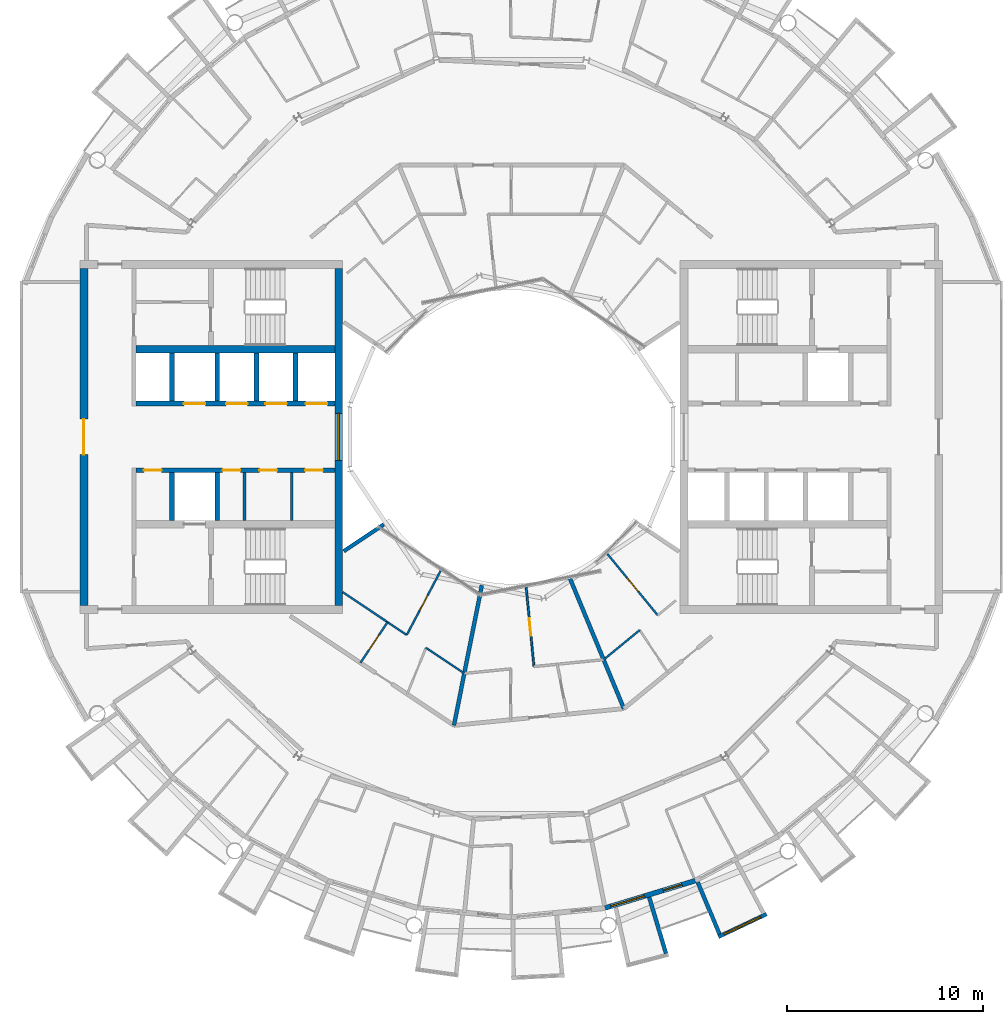
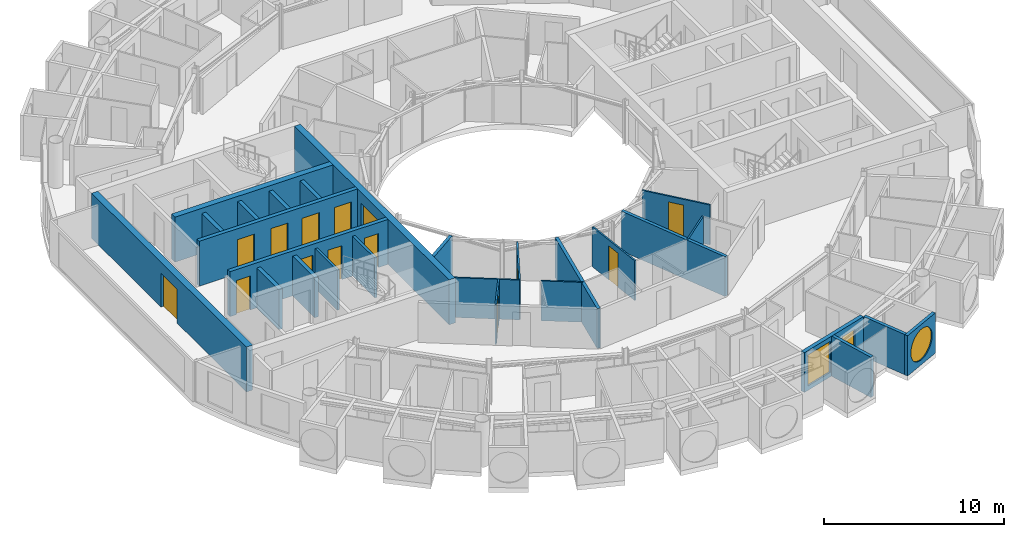
# One storey, part 16 of 27: 27 walls, 14 doors, 3 windows, 17 openings.
"""IFC4 building model written with IfcOpenShell, lengths in metres."""

from ifc_helpers import new_model, si_unit, direction, frame, frame_2d, origin, place, context, subcontext, project, spatial, rectangle, circle, extrude, material, layer, layer_set, type_object, element, fill, save


model = new_model("IFC4")

# Units and contexts
model_context = context("Model", 3, precision=1e-05, world=origin(), true_north=direction((0.0, 1.0)))
body_context = subcontext(model_context, "Body", "Model", "MODEL_VIEW")
ifc_project = project(units=[si_unit("LENGTHUNIT", "METRE"), si_unit("AREAUNIT", "SQUARE_METRE"), si_unit("VOLUMEUNIT", "CUBIC_METRE"), si_unit("PLANEANGLEUNIT", "RADIAN"), si_unit("MASSUNIT", "GRAM", prefix="KILO")], contexts=[model_context])

# Site, building, storey
site_placement = place(None, origin())
site = spatial("IfcSite", under=ifc_project, at=site_placement, CompositionType="ELEMENT")
building_placement = place(site_placement, origin())
building = spatial("IfcBuilding", under=site, at=building_placement, Name="Maasbend Ring Residences", CompositionType="ELEMENT")
storey_placement = place(building_placement, frame((0.0, 0.0, 240.14990234375)))
storey = spatial("IfcBuildingStorey", under=building, at=storey_placement, Name="L69", CompositionType="ELEMENT", Elevation=240.14990234375)

# Wall, openings, doors
ifc_material_1 = material(Name="Concrete C50/60", Category="concrete")
ifc_layer_1 = layer(ifc_material_1, 0.25)
ifc_layer_set_1 = layer_set([ifc_layer_1], Name="Concrete C50/60")
wall_type_1 = type_object("IfcWallType", Name="CORE WALL 250 C50/60", PredefinedType="SHEAR", material=ifc_layer_set_1)
wall_1_placement = place(storey_placement, frame((-9.0, -1.699951171875, 0.0), z_axis=(0.0, 0.0, 1.0), x_axis=(-1.0, 0.0, 0.0)))
wall_1 = element("IfcWall", 1, at=wall_1_placement, inside=storey, type_object=wall_type_1, Name="L69 core W wall SPN", PredefinedType="SHEAR", context=body_context, shape_type="SweptSolid", body=[
    extrude(rectangle(XDim=10.14990234375, YDim=0.25, at=frame_2d((5.074951171875, 0.0))), origin(), (0.0, 0.0, 1.0), 3.050048828125),
])
opening_1_placement = place(wall_1_placement, frame((0.612548828125, 0.0, 0.0)))
opening_1 = element("IfcOpeningElement", 2, at=opening_1_placement, cuts=wall_1, Name="Opening D-W6906", PredefinedType="OPENING", context=body_context, shape_type="SweptSolid", body=[
    extrude(rectangle(XDim=0.89990234375, YDim=2.300048828125, at=frame_2d((0.449951171875, 1.14990234375))), frame((0.0, 0.135009765625, 0.0), z_axis=(0.0, -1.0, 0.0), x_axis=(1.0, 0.0, 0.0)), (0.0, 0.0, 1.0), 0.27001953125),
])
opening_2_placement = place(wall_1_placement, frame((2.949951171875, 0.0, 0.0)))
opening_2 = element("IfcOpeningElement", 3, at=opening_2_placement, cuts=wall_1, Name="Opening D-W6907", PredefinedType="OPENING", context=body_context, shape_type="SweptSolid", body=[
    extrude(rectangle(XDim=0.89990234375, YDim=2.300048828125, at=frame_2d((0.449951171875, 1.14990234375))), frame((0.0, 0.135009765625, 0.0), z_axis=(0.0, -1.0, 0.0), x_axis=(1.0, 0.0, 0.0)), (0.0, 0.0, 1.0), 0.27001953125),
])
opening_3_placement = place(wall_1_placement, frame((4.824951171875, 0.0, 0.0)))
opening_3 = element("IfcOpeningElement", 4, at=opening_3_placement, cuts=wall_1, Name="Opening D-W6908", PredefinedType="OPENING", context=body_context, shape_type="SweptSolid", body=[
    extrude(rectangle(XDim=0.89990234375, YDim=2.300048828125, at=frame_2d((0.449951171875, 1.14990234375))), frame((0.0, 0.135009765625, 0.0), z_axis=(0.0, -1.0, 0.0), x_axis=(1.0, 0.0, 0.0)), (0.0, 0.0, 1.0), 0.27001953125),
])
opening_4_placement = place(wall_1_placement, frame((8.83740234375, 0.0, 0.0)))
opening_4 = element("IfcOpeningElement", 5, at=opening_4_placement, cuts=wall_1, Name="Opening D-W6909", PredefinedType="OPENING", context=body_context, shape_type="SweptSolid", body=[
    extrude(rectangle(XDim=0.89990234375, YDim=2.300048828125, at=frame_2d((0.449951171875, 1.14990234375))), frame((0.0, 0.135009765625, 0.0), z_axis=(0.0, -1.0, 0.0), x_axis=(1.0, 0.0, 0.0)), (0.0, 0.0, 1.0), 0.27001953125),
])
ifc_material_2 = material(Name="Steel, powder coated", Category="steel")
door_type_1 = type_object("IfcDoorType", Name="ROOM DOOR 900 X 2300 FD30S", OperationType="NOTDEFINED", PredefinedType="DOOR", material=ifc_material_2)
door_1_placement = place(opening_1_placement, origin())
door_1 = element("IfcDoor", 6, at=door_1_placement, inside=storey, type_object=door_type_1, Name="Room door L69", OperationType="SINGLE_SWING_RIGHT", OverallHeight=2.300048828125, OverallWidth=0.89990234375, PredefinedType="DOOR", context=body_context, shape_type="SweptSolid", body=[
    extrude(rectangle(XDim=0.89990234375, YDim=2.300048828125, at=frame_2d((0.449951171875, 1.14990234375))), frame((0.0, 0.02490234375, 0.0), z_axis=(0.0, -1.0, 0.0), x_axis=(1.0, 0.0, 0.0)), (0.0, 0.0, 1.0), 0.050048828125),
])
fill(opening_1, door_1)
door_2_placement = place(opening_2_placement, origin())
door_2 = element("IfcDoor", 7, at=door_2_placement, inside=storey, type_object=door_type_1, Name="Room door L69", OperationType="SINGLE_SWING_RIGHT", OverallHeight=2.300048828125, OverallWidth=0.89990234375, PredefinedType="DOOR", context=body_context, shape_type="SweptSolid", body=[
    extrude(rectangle(XDim=0.89990234375, YDim=2.300048828125, at=frame_2d((0.449951171875, 1.14990234375))), frame((0.0, 0.02490234375, 0.0), z_axis=(0.0, -1.0, 0.0), x_axis=(1.0, 0.0, 0.0)), (0.0, 0.0, 1.0), 0.050048828125),
])
fill(opening_2, door_2)
door_3_placement = place(opening_3_placement, origin())
door_3 = element("IfcDoor", 8, at=door_3_placement, inside=storey, type_object=door_type_1, Name="Room door L69", OperationType="SINGLE_SWING_LEFT", OverallHeight=2.300048828125, OverallWidth=0.89990234375, PredefinedType="DOOR", context=body_context, shape_type="SweptSolid", body=[
    extrude(rectangle(XDim=0.89990234375, YDim=2.300048828125, at=frame_2d((0.449951171875, 1.14990234375))), frame((0.0, 0.02490234375, 0.0), z_axis=(0.0, -1.0, 0.0), x_axis=(1.0, 0.0, 0.0)), (0.0, 0.0, 1.0), 0.050048828125),
])
fill(opening_3, door_3)
door_4_placement = place(opening_4_placement, origin())
door_4 = element("IfcDoor", 9, at=door_4_placement, inside=storey, type_object=door_type_1, Name="Room door L69", OperationType="SINGLE_SWING_LEFT", OverallHeight=2.300048828125, OverallWidth=0.89990234375, PredefinedType="DOOR", context=body_context, shape_type="SweptSolid", body=[
    extrude(rectangle(XDim=0.89990234375, YDim=2.300048828125, at=frame_2d((0.449951171875, 1.14990234375))), frame((0.0, 0.02490234375, 0.0), z_axis=(0.0, -1.0, 0.0), x_axis=(1.0, 0.0, 0.0)), (0.0, 0.0, 1.0), 0.050048828125),
])
fill(opening_4, door_4)

wall_2_placement = place(storey_placement, frame((-9.0, 1.699951171875, 0.0), z_axis=(0.0, 0.0, 1.0), x_axis=(-1.0, 0.0, 0.0)))
wall_2 = element("IfcWall", 10, at=wall_2_placement, inside=storey, type_object=wall_type_1, Name="L69 core W wall SPS", PredefinedType="SHEAR", context=body_context, shape_type="SweptSolid", body=[
    extrude(rectangle(XDim=10.14990234375, YDim=0.25, at=frame_2d((5.074951171875, 0.0))), origin(), (0.0, 0.0, 1.0), 3.050048828125),
])
opening_5_placement = place(wall_2_placement, frame((0.387451171875, 0.0, 0.0)))
opening_5 = element("IfcOpeningElement", 11, at=opening_5_placement, cuts=wall_2, Name="Opening LD-W6902", PredefinedType="OPENING", context=body_context, shape_type="SweptSolid", body=[
    extrude(rectangle(XDim=1.10009765625, YDim=2.300048828125, at=frame_2d((0.550048828125, 1.14990234375))), frame((0.0, 0.135009765625, 0.0), z_axis=(0.0, -1.0, 0.0), x_axis=(1.0, 0.0, 0.0)), (0.0, 0.0, 1.0), 0.27001953125),
])
opening_6_placement = place(wall_2_placement, frame((2.449951171875, 0.0, 0.0)))
opening_6 = element("IfcOpeningElement", 12, at=opening_6_placement, cuts=wall_2, Name="Opening LD-W6903", PredefinedType="OPENING", context=body_context, shape_type="SweptSolid", body=[
    extrude(rectangle(XDim=1.10009765625, YDim=2.300048828125, at=frame_2d((0.550048828125, 1.14990234375))), frame((0.0, 0.135009765625, 0.0), z_axis=(0.0, -1.0, 0.0), x_axis=(1.0, 0.0, 0.0)), (0.0, 0.0, 1.0), 0.27001953125),
])
opening_7_placement = place(wall_2_placement, frame((4.449951171875, 0.0, 0.0)))
opening_7 = element("IfcOpeningElement", 13, at=opening_7_placement, cuts=wall_2, Name="Opening LD-W6904", PredefinedType="OPENING", context=body_context, shape_type="SweptSolid", body=[
    extrude(rectangle(XDim=1.10009765625, YDim=2.300048828125, at=frame_2d((0.550048828125, 1.14990234375))), frame((0.0, 0.135009765625, 0.0), z_axis=(0.0, -1.0, 0.0), x_axis=(1.0, 0.0, 0.0)), (0.0, 0.0, 1.0), 0.27001953125),
])
opening_8_placement = place(wall_2_placement, frame((6.60009765625, 0.0, 0.0)))
opening_8 = element("IfcOpeningElement", 14, at=opening_8_placement, cuts=wall_2, Name="Opening LD-W6905", PredefinedType="OPENING", context=body_context, shape_type="SweptSolid", body=[
    extrude(rectangle(XDim=1.10009765625, YDim=2.300048828125, at=frame_2d((0.550048828125, 1.14990234375))), frame((0.0, 0.135009765625, 0.0), z_axis=(0.0, -1.0, 0.0), x_axis=(1.0, 0.0, 0.0)), (0.0, 0.0, 1.0), 0.27001953125),
])
ifc_material_3 = material(Name="Stainless steel 316", Category="steel")
door_type_2 = type_object("IfcDoorType", Name="LANDING DOOR 1100 X 2300 FD60", OperationType="DOUBLE_DOOR_SLIDING", PredefinedType="DOOR", material=ifc_material_3)
door_5_placement = place(opening_5_placement, origin())
door_5 = element("IfcDoor", 15, at=door_5_placement, inside=storey, type_object=door_type_2, Name="Landing door HR-W1 L69", OperationType="DOUBLE_DOOR_SLIDING", OverallHeight=2.300048828125, OverallWidth=1.10009765625, PredefinedType="DOOR", context=body_context, shape_type="SweptSolid", body=[
    extrude(rectangle(XDim=1.10009765625, YDim=2.300048828125, at=frame_2d((0.550048828125, 1.14990234375))), frame((0.0, 0.02490234375, 0.0), z_axis=(0.0, -1.0, 0.0), x_axis=(1.0, 0.0, 0.0)), (0.0, 0.0, 1.0), 0.050048828125),
])
fill(opening_5, door_5)
door_6_placement = place(opening_6_placement, origin())
door_6 = element("IfcDoor", 16, at=door_6_placement, inside=storey, type_object=door_type_2, Name="Landing door HR-W2 L69", OperationType="DOUBLE_DOOR_SLIDING", OverallHeight=2.300048828125, OverallWidth=1.10009765625, PredefinedType="DOOR", context=body_context, shape_type="SweptSolid", body=[
    extrude(rectangle(XDim=1.10009765625, YDim=2.300048828125, at=frame_2d((0.550048828125, 1.14990234375))), frame((0.0, 0.02490234375, 0.0), z_axis=(0.0, -1.0, 0.0), x_axis=(1.0, 0.0, 0.0)), (0.0, 0.0, 1.0), 0.050048828125),
])
fill(opening_6, door_6)
door_7_placement = place(opening_7_placement, origin())
door_7 = element("IfcDoor", 17, at=door_7_placement, inside=storey, type_object=door_type_2, Name="Landing door HR-W3 L69", OperationType="DOUBLE_DOOR_SLIDING", OverallHeight=2.300048828125, OverallWidth=1.10009765625, PredefinedType="DOOR", context=body_context, shape_type="SweptSolid", body=[
    extrude(rectangle(XDim=1.10009765625, YDim=2.300048828125, at=frame_2d((0.550048828125, 1.14990234375))), frame((0.0, 0.02490234375, 0.0), z_axis=(0.0, -1.0, 0.0), x_axis=(1.0, 0.0, 0.0)), (0.0, 0.0, 1.0), 0.050048828125),
])
fill(opening_7, door_7)
door_8_placement = place(opening_8_placement, origin())
door_8 = element("IfcDoor", 18, at=door_8_placement, inside=storey, type_object=door_type_2, Name="Landing door SV-W L69", OperationType="DOUBLE_DOOR_SLIDING", OverallHeight=2.300048828125, OverallWidth=1.10009765625, PredefinedType="DOOR", context=body_context, shape_type="SweptSolid", body=[
    extrude(rectangle(XDim=1.10009765625, YDim=2.300048828125, at=frame_2d((0.550048828125, 1.14990234375))), frame((0.0, 0.02490234375, 0.0), z_axis=(0.0, -1.0, 0.0), x_axis=(1.0, 0.0, 0.0)), (0.0, 0.0, 1.0), 0.050048828125),
])
fill(opening_8, door_8)

# Wall
ifc_material_4 = material(Name="Concrete C50/60", Category="concrete")
ifc_layer_2 = layer(ifc_material_4, 0.375)
ifc_layer_set_2 = layer_set([ifc_layer_2], Name="Concrete C50/60")
wall_type_2 = type_object("IfcWallType", Name="CORE WALL 375 C50/60", PredefinedType="SHEAR", material=ifc_layer_set_2)
wall_3_placement = place(storey_placement, frame((-9.0, 4.46240234375, 0.0), z_axis=(0.0, 0.0, 1.0), x_axis=(-1.0, 0.0, 0.0)))
element("IfcWall", 19, at=wall_3_placement, inside=storey, type_object=wall_type_2, Name="L69 core W wall BS", PredefinedType="SHEAR", context=body_context, shape_type="SweptSolid", body=[
    extrude(rectangle(XDim=10.14990234375, YDim=0.375, at=frame_2d((5.074951171875, 0.0))), origin(), (0.0, 0.0, 1.0), 3.050048828125),
])

# Wall, opening, door
ifc_material_5 = material(Name="Concrete C50/60", Category="concrete")
ifc_layer_3 = layer(ifc_material_5, 0.39990234375)
ifc_layer_set_3 = layer_set([ifc_layer_3], Name="Concrete C50/60")
wall_type_3 = type_object("IfcWallType", Name="CORE WALL 400 C50/60", PredefinedType="SHEAR", material=ifc_layer_set_3)
wall_4_placement = place(storey_placement, frame((-21.800048828125, -8.60009765625, 0.0), z_axis=(0.0, 0.0, 1.0), x_axis=(0.0, 1.0, 0.0)))
wall_4 = element("IfcWall", 20, at=wall_4_placement, inside=storey, type_object=wall_type_3, Name="L69 core W wall POUT", PredefinedType="SHEAR", context=body_context, shape_type="SweptSolid", body=[
    extrude(rectangle(XDim=17.2001953125, YDim=0.39990234375, at=frame_2d((8.60009765625, 0.0))), origin(), (0.0, 0.0, 1.0), 3.050048828125),
])
opening_9_placement = place(wall_4_placement, frame((7.699951171875, 0.0, 0.0)))
opening_9 = element("IfcOpeningElement", 21, at=opening_9_placement, cuts=wall_4, Name="Opening D-W6917", PredefinedType="OPENING", context=body_context, shape_type="SweptSolid", body=[
    extrude(rectangle(XDim=1.800048828125, YDim=2.300048828125, at=frame_2d((0.89990234375, 1.14990234375))), frame((0.0, 0.2099609375, 0.0), z_axis=(0.0, -1.0, 0.0), x_axis=(1.0, 0.0, 0.0)), (0.0, 0.0, 1.0), 0.419921875),
])
ifc_material_6 = material(Name="Aluminium frame, clear glass", Category="aluminium")
door_type_3 = type_object("IfcDoorType", Name="ENTRANCE DOOR 1800 X 2300 FD60", OperationType="NOTDEFINED", PredefinedType="DOOR", material=ifc_material_6)
door_9_placement = place(opening_9_placement, origin())
door_9 = element("IfcDoor", 22, at=door_9_placement, inside=storey, type_object=door_type_3, Name="Lobby glazed door L69", OperationType="SINGLE_SWING_LEFT", OverallHeight=2.300048828125, OverallWidth=1.800048828125, PredefinedType="DOOR", context=body_context, shape_type="SweptSolid", body=[
    extrude(rectangle(XDim=1.800048828125, YDim=2.300048828125, at=frame_2d((0.89990234375, 1.14990234375))), frame((0.0, 0.02490234375, 0.0), z_axis=(0.0, -1.0, 0.0), x_axis=(1.0, 0.0, 0.0)), (0.0, 0.0, 1.0), 0.050048828125),
])
fill(opening_9, door_9)

# Wall, opening, window
wall_5_placement = place(storey_placement, frame((-8.800048828125, 8.60009765625, 0.0), z_axis=(0.0, 0.0, 1.0), x_axis=(0.0, -1.0, 0.0)))
wall_5 = element("IfcWall", 23, at=wall_5_placement, inside=storey, type_object=wall_type_3, Name="L69 core W wall PIN", PredefinedType="SHEAR", context=body_context, shape_type="SweptSolid", body=[
    extrude(rectangle(XDim=17.2001953125, YDim=0.39990234375, at=frame_2d((8.60009765625, 0.0))), origin(), (0.0, 0.0, 1.0), 3.050048828125),
])
opening_10_placement = place(wall_5_placement, frame((7.39990234375, 0.0, 0.10009765625)))
opening_10 = element("IfcOpeningElement", 24, at=opening_10_placement, cuts=wall_5, Name="Opening W-W6901", PredefinedType="OPENING", context=body_context, shape_type="SweptSolid", body=[
    extrude(rectangle(XDim=2.39990234375, YDim=2.199951171875, at=frame_2d((1.199951171875, 1.10009765625))), frame((0.0, 0.2099609375, 0.0), z_axis=(0.0, -1.0, 0.0), x_axis=(1.0, 0.0, 0.0)), (0.0, 0.0, 1.0), 0.419921875),
])
ifc_material_7 = material(Name="Aluminium frame and clear glass", Category="aluminium")
window_type_1 = type_object("IfcWindowType", Name="FIXED WINDOW 2400 X 2200", PartitioningType="SINGLE_PANEL", PredefinedType="WINDOW", material=ifc_material_7)
window_1_placement = place(opening_10_placement, origin())
window_1 = element("IfcWindow", 25, at=window_1_placement, inside=storey, type_object=window_type_1, Name="Lobby window L69", OverallHeight=2.199951171875, OverallWidth=2.39990234375, PartitioningType="SINGLE_PANEL", PredefinedType="WINDOW", context=body_context, shape_type="SweptSolid", body=[
    extrude(rectangle(XDim=2.39990234375, YDim=2.199951171875, at=frame_2d((1.199951171875, 1.10009765625))), frame((0.0, 0.030029296875, 0.0), z_axis=(0.0, -1.0, 0.0), x_axis=(1.0, 0.0, 0.0)), (0.0, 0.0, 1.0), 0.06005859375),
])
fill(opening_10, window_1)

# Wall
ifc_material_8 = material(Name="Pale anodised aluminium panel", Category="aluminium")
ifc_layer_4 = layer(ifc_material_8, 0.199951171875)
ifc_layer_set_4 = layer_set([ifc_layer_4], Name="EW-BOX")
wall_type_4 = type_object("IfcWallType", Name="EW-BOX", PredefinedType="SOLIDWALL", material=ifc_layer_set_4)
wall_6_placement = place(storey_placement, frame((7.029052734375, -23.47705078125, -0.02978515625), z_axis=(0.0, 0.0, 1.0), x_axis=(0.286681681931, -0.958025893828, 0.0)))
element("IfcWall", 26, at=wall_6_placement, inside=storey, type_object=wall_type_4, Name="Box side wall S13 right", PredefinedType="SOLIDWALL", context=body_context, shape_type="SweptSolid", body=[
    extrude(rectangle(XDim=2.992431640625, YDim=0.199951171875, at=frame_2d((1.49609375, 0.0))), origin(), (0.0, 0.0, 1.0), 2.72998046875),
])

# Wall, opening, window
wall_7_placement = place(storey_placement, frame((10.55810546875, -25.5009765625, -0.02978515625), z_axis=(0.0, 0.0, 1.0), x_axis=(0.904004727627, 0.42752245839, 0.0)))
wall_7 = element("IfcWall", 27, at=wall_7_placement, inside=storey, type_object=wall_type_4, Name="Box front S15", PredefinedType="SOLIDWALL", context=body_context, shape_type="SweptSolid", body=[
    extrude(rectangle(XDim=2.7177734375, YDim=0.199951171875, at=frame_2d((1.35888671875, 0.0))), origin(), (0.0, 0.0, 1.0), 2.72998046875),
])
opening_11_placement = place(wall_7_placement, frame((0.319091796875, 0.0, 0.330078125)))
opening_11 = element("IfcOpeningElement", 28, at=opening_11_placement, cuts=wall_7, Name="Opening W-RD", PredefinedType="OPENING", context=body_context, shape_type="SweptSolid", body=[
    extrude(circle(Radius=1.0400390625, at=frame_2d((1.0400390625, 1.0400390625))), frame((0.0, 0.10986328125, 0.0), z_axis=(0.0, -1.0, 0.0), x_axis=(1.0, 0.0, 0.0)), (0.0, 0.0, 1.0), 0.219970703125),
])
ifc_material_9 = material(Name="Aluminium and clear glass", Category="aluminium")
window_type_2 = type_object("IfcWindowType", Name="W-RD", PartitioningType="SINGLE_PANEL", PredefinedType="WINDOW", material=ifc_material_9)
window_2_placement = place(opening_11_placement, origin())
window_2 = element("IfcWindow", 29, at=window_2_placement, inside=storey, type_object=window_type_2, Name="Round window S15", OverallHeight=2.080078125, OverallWidth=2.080078125, PartitioningType="SINGLE_PANEL", PredefinedType="WINDOW", context=body_context, shape_type="SweptSolid", body=[
    extrude(circle(Radius=1.0400390625, at=frame_2d((1.0400390625, 1.0400390625))), frame((0.0, 0.030029296875, 0.0), z_axis=(0.0, -1.0, 0.0), x_axis=(1.0, 0.0, 0.0)), (0.0, 0.0, 1.0), 0.06005859375),
])
fill(opening_11, window_2)

# Wall
wall_8_placement = place(storey_placement, frame((9.5029296875, -22.708984375, -0.02978515625), z_axis=(0.0, 0.0, 1.0), x_axis=(0.386136412103, -0.922441689891, 0.0)))
element("IfcWall", 30, at=wall_8_placement, inside=storey, type_object=wall_type_4, Name="Box side wall S15 left", PredefinedType="SOLIDWALL", context=body_context, shape_type="SweptSolid", body=[
    extrude(rectangle(XDim=2.882568359375, YDim=0.199951171875, at=frame_2d((1.44140625, 0.0))), origin(), (0.0, 0.0, 1.0), 2.72998046875),
])

# Wall, openings, door, window
ifc_material_10 = material(Name="Aluminium clad insulated panel", Category="aluminium")
ifc_layer_5 = layer(ifc_material_10, 0.25)
ifc_layer_set_5 = layer_set([ifc_layer_5], Name="EW-GL")
wall_type_5 = type_object("IfcWallType", Name="EW-GL", PredefinedType="SOLIDWALL", material=ifc_layer_set_5)
wall_9_placement = place(storey_placement, frame((4.780029296875, -24.029052734375, 0.0), z_axis=(0.0, 0.0, 1.0), x_axis=(0.956947414517, 0.290261340605, 0.0)))
wall_9 = element("IfcWall", 31, at=wall_9_placement, inside=storey, type_object=wall_type_5, Name="External wall S07", PredefinedType="SOLIDWALL", context=body_context, shape_type="SweptSolid", body=[
    extrude(rectangle(XDim=4.802734375, YDim=0.25, at=frame_2d((2.4013671875, 0.0))), origin(), (0.0, 0.0, 1.0), 2.7001953125),
])
opening_12_placement = place(wall_9_placement, frame((0.3037109375, 0.0, 0.300048828125)))
opening_12 = element("IfcOpeningElement", 32, at=opening_12_placement, cuts=wall_9, Name="Opening W-BX", PredefinedType="OPENING", context=body_context, shape_type="SweptSolid", body=[
    extrude(rectangle(XDim=1.800048828125, YDim=2.10009765625, at=frame_2d((0.89990234375, 1.050048828125))), frame((0.0, 0.135009765625, 0.0), z_axis=(0.0, -1.0, 0.0), x_axis=(1.0, 0.0, 0.0)), (0.0, 0.0, 1.0), 0.27001953125),
])
opening_13_placement = place(wall_9_placement, frame((3.09912109375, 0.0, 0.0)))
opening_13 = element("IfcOpeningElement", 33, at=opening_13_placement, cuts=wall_9, Name="Opening D-LG", PredefinedType="OPENING", context=body_context, shape_type="SweptSolid", body=[
    extrude(rectangle(XDim=1.0, YDim=2.199951171875, at=frame_2d((0.5, 1.10009765625))), frame((0.0, 0.135009765625, 0.0), z_axis=(0.0, -1.0, 0.0), x_axis=(1.0, 0.0, 0.0)), (0.0, 0.0, 1.0), 0.27001953125),
])
ifc_material_11 = material(Name="Aluminium and clear glass", Category="aluminium")
door_type_4 = type_object("IfcDoorType", Name="D-LG", OperationType="SINGLE_SWING_LEFT", PredefinedType="DOOR", material=ifc_material_11)
door_10_placement = place(opening_13_placement, origin())
door_10 = element("IfcDoor", 34, at=door_10_placement, inside=storey, type_object=door_type_4, Name="Loggia door S14", OperationType="SINGLE_SWING_LEFT", OverallHeight=2.199951171875, OverallWidth=1.0, PredefinedType="DOOR", context=body_context, shape_type="SweptSolid", body=[
    extrude(rectangle(XDim=1.0, YDim=2.199951171875, at=frame_2d((0.5, 1.10009765625))), frame((0.0, 0.02490234375, 0.0), z_axis=(0.0, -1.0, 0.0), x_axis=(1.0, 0.0, 0.0)), (0.0, 0.0, 1.0), 0.050048828125),
])
fill(opening_13, door_10)
ifc_material_12 = material(Name="Aluminium and clear glass", Category="aluminium")
window_type_3 = type_object("IfcWindowType", Name="W-BX", PartitioningType="DOUBLE_PANEL_VERTICAL", PredefinedType="WINDOW", material=ifc_material_12)
window_3_placement = place(opening_12_placement, origin())
window_3 = element("IfcWindow", 35, at=window_3_placement, inside=storey, type_object=window_type_3, Name="Window S13 room to box", OverallHeight=2.10009765625, OverallWidth=1.800048828125, PartitioningType="SINGLE_PANEL", PredefinedType="WINDOW", context=body_context, shape_type="SweptSolid", body=[
    extrude(rectangle(XDim=1.800048828125, YDim=2.10009765625, at=frame_2d((0.89990234375, 1.050048828125))), frame((0.0, 0.030029296875, 0.0), z_axis=(0.0, -1.0, 0.0), x_axis=(1.0, 0.0, 0.0)), (0.0, 0.0, 1.0), 0.06005859375),
])
fill(opening_12, window_3)

# Walls
ifc_material_13 = material(Name="Gypsum board on steel studs", Category="steel")
ifc_layer_6 = layer(ifc_material_13, 0.10009765625)
ifc_layer_set_6 = layer_set([ifc_layer_6], Name="PARTITION 100 GYPSUM")
wall_type_6 = type_object("IfcWallType", Name="PARTITION 100 GYPSUM", PredefinedType="PARTITIONING", material=ifc_layer_set_6)
wall_10_placement = place(storey_placement, frame((4.70703125, -11.364013671875, 0.0), z_axis=(0.0, 0.0, 1.0), x_axis=(0.773033390712, 0.634365333893, 0.0)))
element("IfcWall", 36, at=wall_10_placement, inside=storey, type_object=wall_type_6, Name="U-L69-w025", PredefinedType="PARTITIONING", context=body_context, shape_type="SweptSolid", body=[
    extrude(rectangle(XDim=2.38037109375, YDim=0.10009765625, at=frame_2d((1.190185546875, 0.0))), origin(), (0.0, 0.0, 1.0), 2.7001953125),
])
wall_11_placement = place(storey_placement, frame((-8.60107421875, -7.919921875, 0.0), z_axis=(0.0, 0.0, 1.0), x_axis=(0.83141852367, -0.555646684953, 0.0)))
element("IfcWall", 37, at=wall_11_placement, inside=storey, type_object=wall_type_6, Name="U-L69-w027", PredefinedType="PARTITIONING", context=body_context, shape_type="SweptSolid", body=[
    extrude(rectangle(XDim=3.92724609375, YDim=0.10009765625, at=frame_2d((1.963623046875, 0.0))), origin(), (0.0, 0.0, 1.0), 2.7001953125),
])
wall_12_placement = place(storey_placement, frame((-4.35205078125, -10.759033203125, 0.0), z_axis=(0.0, 0.0, 1.0), x_axis=(0.8314910529, -0.555538143557, 0.0)))
element("IfcWall", 38, at=wall_12_placement, inside=storey, type_object=wall_type_6, Name="U-L69-w028", PredefinedType="PARTITIONING", context=body_context, shape_type="SweptSolid", body=[
    extrude(rectangle(XDim=2.3525390625, YDim=0.10009765625, at=frame_2d((1.17626953125, 0.0))), origin(), (0.0, 0.0, 1.0), 2.7001953125),
])

# Wall, opening, door
wall_13_placement = place(storey_placement, frame((-7.698974609375, -11.52294921875, 0.0), z_axis=(0.0, 0.0, 1.0), x_axis=(0.555625883274, 0.831432425297, 0.0)))
wall_13 = element("IfcWall", 39, at=wall_13_placement, inside=storey, type_object=wall_type_6, Name="U-L69-w048", PredefinedType="PARTITIONING", context=body_context, shape_type="SweptSolid", body=[
    extrude(rectangle(XDim=2.494384765625, YDim=0.10009765625, at=frame_2d((1.2470703125, 0.0))), origin(), (0.0, 0.0, 1.0), 2.7001953125),
])
opening_14_placement = place(wall_13_placement, frame((0.797119140625, 0.0, 0.0)))
opening_14 = element("IfcOpeningElement", 40, at=opening_14_placement, cuts=wall_13, Name="Opening D-6954", PredefinedType="OPENING", context=body_context, shape_type="SweptSolid", body=[
    extrude(rectangle(XDim=0.89990234375, YDim=2.300048828125, at=frame_2d((0.449951171875, 1.14990234375))), frame((0.0, 0.06005859375, 0.0), z_axis=(0.0, -1.0, 0.0), x_axis=(1.0, 0.0, 0.0)), (0.0, 0.0, 1.0), 0.1201171875),
])
ifc_material_14 = material(Name="Timber, painted", Category="wood")
door_type_5 = type_object("IfcDoorType", Name="INTERNAL DOOR 900 X 2300", OperationType="NOTDEFINED", PredefinedType="DOOR", material=ifc_material_14)
door_11_placement = place(opening_14_placement, origin())
door_11 = element("IfcDoor", 41, at=door_11_placement, inside=storey, type_object=door_type_5, Name="D-6954", OperationType="SINGLE_SWING_LEFT", OverallHeight=2.300048828125, OverallWidth=0.89990234375, PredefinedType="DOOR", context=body_context, shape_type="SweptSolid", body=[
    extrude(rectangle(XDim=0.89990234375, YDim=2.300048828125, at=frame_2d((0.449951171875, 1.14990234375))), frame((0.0, 0.02490234375, 0.0), z_axis=(0.0, -1.0, 0.0), x_axis=(1.0, 0.0, 0.0)), (0.0, 0.0, 1.0), 0.050048828125),
])
fill(opening_14, door_11)

wall_14_placement = place(storey_placement, frame((-5.3349609375, -10.10205078125, 0.0), z_axis=(0.0, 0.0, 1.0), x_axis=(0.467060750716, 0.88422522874, 0.0)))
wall_14 = element("IfcWall", 42, at=wall_14_placement, inside=storey, type_object=wall_type_6, Name="U-L69-w053", PredefinedType="PARTITIONING", context=body_context, shape_type="SweptSolid", body=[
    extrude(rectangle(XDim=3.703857421875, YDim=0.10009765625, at=frame_2d((1.85205078125, 0.0))), origin(), (0.0, 0.0, 1.0), 2.7001953125),
])
opening_15_placement = place(wall_14_placement, frame((1.402099609375, 0.0, 0.0)))
opening_15 = element("IfcOpeningElement", 43, at=opening_15_placement, cuts=wall_14, Name="Opening D-6955", PredefinedType="OPENING", context=body_context, shape_type="SweptSolid", body=[
    extrude(rectangle(XDim=0.89990234375, YDim=2.300048828125, at=frame_2d((0.449951171875, 1.14990234375))), frame((0.0, 0.06005859375, 0.0), z_axis=(0.0, -1.0, 0.0), x_axis=(1.0, 0.0, 0.0)), (0.0, 0.0, 1.0), 0.1201171875),
])
door_12_placement = place(opening_15_placement, origin())
door_12 = element("IfcDoor", 44, at=door_12_placement, inside=storey, type_object=door_type_5, Name="D-6955", OperationType="SINGLE_SWING_RIGHT", OverallHeight=2.300048828125, OverallWidth=0.89990234375, PredefinedType="DOOR", context=body_context, shape_type="SweptSolid", body=[
    extrude(rectangle(XDim=0.89990234375, YDim=2.300048828125, at=frame_2d((0.449951171875, 1.14990234375))), frame((0.0, 0.02490234375, 0.0), z_axis=(0.0, -1.0, 0.0), x_axis=(1.0, 0.0, 0.0)), (0.0, 0.0, 1.0), 0.050048828125),
])
fill(opening_15, door_12)

wall_15_placement = place(storey_placement, frame((0.757080078125, -7.68310546875, 0.0), z_axis=(0.0, 0.0, 1.0), x_axis=(0.098005705092, -0.995185852878, 0.0)))
wall_15 = element("IfcWall", 45, at=wall_15_placement, inside=storey, type_object=wall_type_6, Name="U-L69-w065", PredefinedType="PARTITIONING", context=body_context, shape_type="SweptSolid", body=[
    extrude(rectangle(XDim=4.050537109375, YDim=0.10009765625, at=frame_2d((2.025390625, 0.0))), origin(), (0.0, 0.0, 1.0), 2.7001953125),
])
opening_16_placement = place(wall_15_placement, frame((1.574951171875, 0.0, 0.0)))
opening_16 = element("IfcOpeningElement", 46, at=opening_16_placement, cuts=wall_15, Name="Opening D-6959", PredefinedType="OPENING", context=body_context, shape_type="SweptSolid", body=[
    extrude(rectangle(XDim=0.89990234375, YDim=2.300048828125, at=frame_2d((0.449951171875, 1.14990234375))), frame((0.0, 0.06005859375, 0.0), z_axis=(0.0, -1.0, 0.0), x_axis=(1.0, 0.0, 0.0)), (0.0, 0.0, 1.0), 0.1201171875),
])
door_13_placement = place(opening_16_placement, origin())
door_13 = element("IfcDoor", 47, at=door_13_placement, inside=storey, type_object=door_type_5, Name="D-6959", OperationType="SINGLE_SWING_RIGHT", OverallHeight=2.300048828125, OverallWidth=0.89990234375, PredefinedType="DOOR", context=body_context, shape_type="SweptSolid", body=[
    extrude(rectangle(XDim=0.89990234375, YDim=2.300048828125, at=frame_2d((0.449951171875, 1.14990234375))), frame((0.0, 0.02490234375, 0.0), z_axis=(0.0, -1.0, 0.0), x_axis=(1.0, 0.0, 0.0)), (0.0, 0.0, 1.0), 0.050048828125),
])
fill(opening_16, door_13)

wall_16_placement = place(storey_placement, frame((4.89697265625, -5.968994140625, 0.0), z_axis=(0.0, 0.0, 1.0), x_axis=(0.634313840507, -0.773075644256, 0.0)))
wall_16 = element("IfcWall", 48, at=wall_16_placement, inside=storey, type_object=wall_type_6, Name="U-L69-w073", PredefinedType="PARTITIONING", context=body_context, shape_type="SweptSolid", body=[
    extrude(rectangle(XDim=4.05029296875, YDim=0.10009765625, at=frame_2d((2.025146484375, 0.0))), origin(), (0.0, 0.0, 1.0), 2.7001953125),
])
opening_17_placement = place(wall_16_placement, frame((1.574951171875, 0.0, 0.0)))
opening_17 = element("IfcOpeningElement", 49, at=opening_17_placement, cuts=wall_16, Name="Opening D-6962", PredefinedType="OPENING", context=body_context, shape_type="SweptSolid", body=[
    extrude(rectangle(XDim=0.89990234375, YDim=2.300048828125, at=frame_2d((0.449951171875, 1.14990234375))), frame((0.0, 0.06005859375, 0.0), z_axis=(0.0, -1.0, 0.0), x_axis=(1.0, 0.0, 0.0)), (0.0, 0.0, 1.0), 0.1201171875),
])
door_14_placement = place(opening_17_placement, origin())
door_14 = element("IfcDoor", 50, at=door_14_placement, inside=storey, type_object=door_type_5, Name="D-6962", OperationType="SINGLE_SWING_LEFT", OverallHeight=2.300048828125, OverallWidth=0.89990234375, PredefinedType="DOOR", context=body_context, shape_type="SweptSolid", body=[
    extrude(rectangle(XDim=0.89990234375, YDim=2.300048828125, at=frame_2d((0.449951171875, 1.14990234375))), frame((0.0, 0.02490234375, 0.0), z_axis=(0.0, -1.0, 0.0), x_axis=(1.0, 0.0, 0.0)), (0.0, 0.0, 1.0), 0.050048828125),
])
fill(opening_17, door_14)

# Walls
ifc_material_15 = material(Name="Gypsum board on steel studs", Category="steel")
ifc_layer_7 = layer(ifc_material_15, 0.14990234375)
ifc_layer_set_7 = layer_set([ifc_layer_7], Name="PARTITION 150 EI 60")
wall_type_7 = type_object("IfcWallType", Name="PARTITION 150 EI 60", PredefinedType="PARTITIONING", material=ifc_layer_set_7)
for number, where, z_axis, x_axis, name in (
    (51, (-11.199951171875, -1.824951171875, 0.0), (0.0, 0.0, 1.0), (0.0, -1.0, 0.0), "L69 core W wall PRN1120"),
    (52, (-13.60009765625, -1.824951171875, 0.0), (0.0, 0.0, 1.0), (0.0, -1.0, 0.0), "L69 core W wall PRN1360"),
):
    element("IfcWall", number, at=place(storey_placement, frame(where, z_axis=z_axis, x_axis=x_axis)), inside=storey, type_object=wall_type_7, Name=name, PredefinedType="PARTITIONING", context=body_context, shape_type="SweptSolid", body=[
        extrude(rectangle(XDim=2.449951171875, YDim=0.14990234375, at=frame_2d((1.22509765625, 0.0))), origin(), (0.0, 0.0, 1.0), 2.7001953125),
    ])
ifc_material_16 = material(Name="Concrete C30/37", Category="concrete")
ifc_layer_8 = layer(ifc_material_16, 0.199951171875)
ifc_layer_set_8 = layer_set([ifc_layer_8], Name="Concrete C30/37")
wall_type_8 = type_object("IfcWallType", Name="PARTY WALL 200 CONCRETE", PredefinedType="PARTITIONING", material=ifc_layer_set_8)
wall_17_placement = place(storey_placement, frame((-6.512939453125, -4.471923828125, 0.0), z_axis=(0.0, 0.0, 1.0), x_axis=(-0.831450132577, -0.555599385382, 0.0)))
element("IfcWall", 53, at=wall_17_placement, inside=storey, type_object=wall_type_8, Name="U-L69-w031", PredefinedType="PARTITIONING", context=body_context, shape_type="SweptSolid", body=[
    extrude(rectangle(XDim=2.442626953125, YDim=0.199951171875, at=frame_2d((1.22119140625, 0.0))), origin(), (0.0, 0.0, 1.0), 2.7001953125),
])
wall_18_placement = place(storey_placement, frame((-2.927001953125, -14.7119140625, 0.0), z_axis=(0.0, 0.0, 1.0), x_axis=(0.195180900879, 0.980767258799, 0.0)))
element("IfcWall", 54, at=wall_18_placement, inside=storey, type_object=wall_type_8, Name="U-L69-w056", PredefinedType="PARTITIONING", context=body_context, shape_type="SweptSolid", body=[
    extrude(rectangle(XDim=7.27978515625, YDim=0.199951171875, at=frame_2d((3.639892578125, 0.0))), origin(), (0.0, 0.0, 1.0), 2.7001953125),
])
wall_19_placement = place(storey_placement, frame((2.9541015625, -7.132080078125, 0.0), z_axis=(0.0, 0.0, 1.0), x_axis=(0.38267858248, -0.923881541385, 0.0)))
element("IfcWall", 55, at=wall_19_placement, inside=storey, type_object=wall_type_8, Name="U-L69-w068", PredefinedType="PARTITIONING", context=body_context, shape_type="SweptSolid", body=[
    extrude(rectangle(XDim=7.280029296875, YDim=0.199951171875, at=frame_2d((3.64013671875, 0.0))), origin(), (0.0, 0.0, 1.0), 2.7001953125),
])
ifc_material_17 = material(Name="Concrete C30/37", Category="concrete")
ifc_layer_9 = layer(ifc_material_17, 0.25)
ifc_layer_set_9 = layer_set([ifc_layer_9], Name="Concrete C30/37")
wall_type_9 = type_object("IfcWallType", Name="SHAFT WALL 250 EI 120", PredefinedType="SOLIDWALL", material=ifc_layer_set_9)
for number, where, z_axis, x_axis, name in (
    (56, (-15.0, -1.824951171875, 0.0), (0.0, 0.0, 1.0), (0.0, -1.0, 0.0), "L69 core W wall D150N"),
    (57, (-17.300048828125, -1.824951171875, 0.0), (0.0, 0.0, 1.0), (0.0, -1.0, 0.0), "L69 core W wall D173N"),
    (58, (-15.0, 1.824951171875, 0.0), (0.0, 0.0, 1.0), (0.0, 1.0, 0.0), "L69 core W wall D150S"),
    (59, (-17.300048828125, 1.824951171875, 0.0), (0.0, 0.0, 1.0), (0.0, 1.0, 0.0), "L69 core W wall D173S"),
    (60, (-11.0, 1.824951171875, 0.0), (0.0, 0.0, 1.0), (0.0, 1.0, 0.0), "L69 core W wall D110S"),
    (61, (-13.0, 1.824951171875, 0.0), (0.0, 0.0, 1.0), (0.0, 1.0, 0.0), "L69 core W wall D130S"),
):
    element("IfcWall", number, at=place(storey_placement, frame(where, z_axis=z_axis, x_axis=x_axis)), inside=storey, type_object=wall_type_9, Name=name, PredefinedType="SOLIDWALL", context=body_context, shape_type="SweptSolid", body=[
        extrude(rectangle(XDim=2.449951171875, YDim=0.25, at=frame_2d((1.22509765625, 0.0))), origin(), (0.0, 0.0, 1.0), 2.7001953125),
    ])

save(model, "model.ifc")
